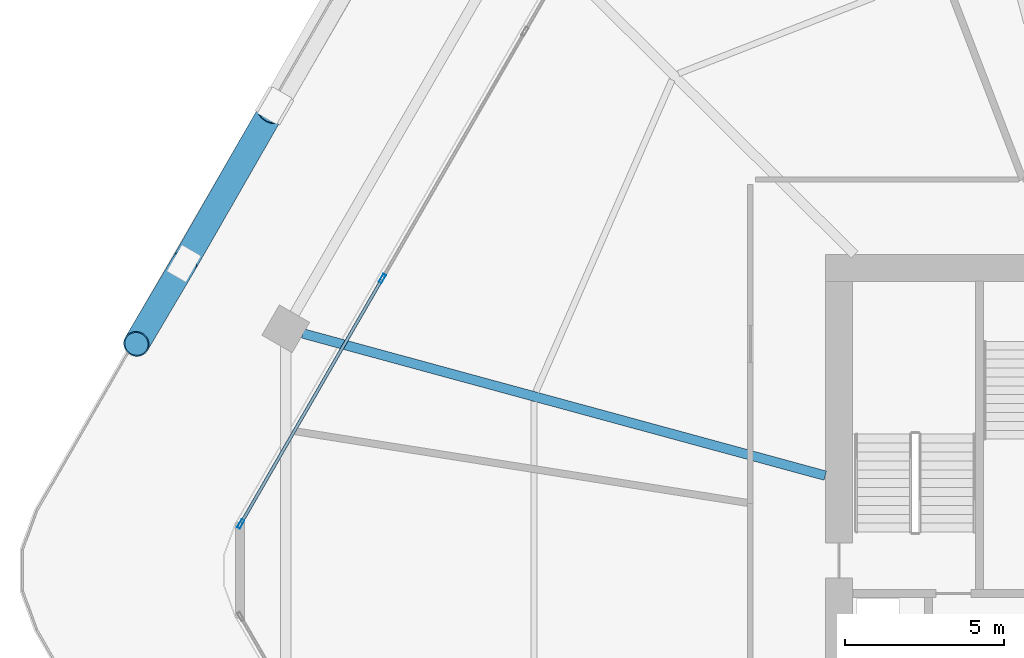
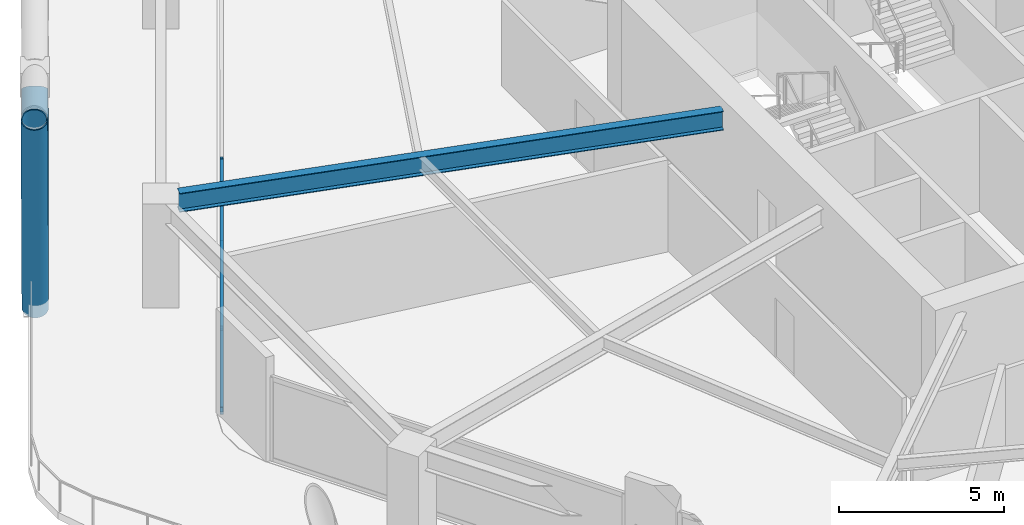
# One storey, part 12 of 28: 6 members, 1 beam, 1 element without a shape of its own.
"""IFC4 building model written with IfcOpenShell, lengths in metres."""

from ifc_helpers import new_model, si_unit, direction, frame, origin, origin_2d, place, context, subcontext, project, spatial, hollow_rectangle, hollow_circle, i_section, extrude, material, material_profile, profile_set, type_object, element, aggregate, save


model = new_model("IFC4")

# Units and contexts
model_context = context("Model", 3, precision=1e-05, world=origin(), true_north=direction((0.0, 1.0)))
body_context = subcontext(model_context, "Body", "Model", "MODEL_VIEW")
ifc_project = project(units=[si_unit("LENGTHUNIT", "METRE"), si_unit("AREAUNIT", "SQUARE_METRE"), si_unit("VOLUMEUNIT", "CUBIC_METRE"), si_unit("PLANEANGLEUNIT", "RADIAN"), si_unit("MASSUNIT", "GRAM", prefix="KILO")], contexts=[model_context])

# Site, building, storey
site_placement = place(None, origin())
site = spatial("IfcSite", under=ifc_project, at=site_placement, CompositionType="ELEMENT")
building_placement = place(site_placement, origin())
building = spatial("IfcBuilding", under=site, at=building_placement, Name="Zuhravey Tower", CompositionType="ELEMENT")
storey_placement = place(building_placement, frame((0.0, 0.0, 83.39990234375)))
storey = spatial("IfcBuildingStorey", under=building, at=storey_placement, Name="L20", CompositionType="ELEMENT", Elevation=83.39990234375)

# Members
ifc_material_1 = material(Name="Steel SM460", Category="steel")
ifc_material_profile_1 = material_profile(ifc_material_1, hollow_circle(Radius=0.406494140625, WallThickness=0.035888671875, at=origin_2d()), Name="CHS-812.8x36")
ifc_profile_set_1 = profile_set([ifc_material_profile_1], Name="Steel SM460")
member_type_1 = type_object("IfcMemberType", Name="Exoskeleton Zone 1 Diagrid CHS813x36", PredefinedType="BRACE", material=ifc_profile_set_1)
member_1_placement = place(storey_placement, frame((4.904541015625, 41.637939453125, -0.471923828125), z_axis=(-0.157674993935, -0.266761084923, 0.950777113659), x_axis=(0.860865118485, -0.508833221965, 0.0)))
element("IfcMember", 1, at=member_1_placement, inside=storey, type_object=member_type_1, Name="L20 Face 3 Diagrid Brace 4", PredefinedType="BRACE", context=body_context, shape_type="SweptSolid", body=[
    extrude(hollow_circle(Radius=0.406494140625, WallThickness=0.035888671875, at=origin_2d()), origin(), (0.0, 0.0, 1.0), 9.451416015625),
])
member_2_placement = place(storey_placement, frame((4.9267578125, 41.676513671875, -0.46435546875), z_axis=(0.39073792512, 0.680929048696, 0.619402538351), x_axis=(-0.867344262891, 0.497708679481, 0.0)))
element("IfcMember", 2, at=member_2_placement, inside=storey, type_object=member_type_1, Name="L20 Face 3 Split Diagrid Brace 3A", PredefinedType="BRACE", context=body_context, shape_type="SweptSolid", body=[
    extrude(hollow_circle(Radius=0.406494140625, WallThickness=0.035888671875, at=origin_2d()), origin(), (0.0, 0.0, 1.0), 6.844970703125),
])

# Curtain wall, members
ifc_material_2 = material(Name="Thermally broken anodised aluminium", Category="aluminium")
curtain_wall_type = type_object("IfcCurtainWallType", Name="Sky-Playground Recessed Curtain Wall CW2", PredefinedType="NOTDEFINED", material=ifc_material_2)
curtain_wall_placement = place(storey_placement, origin())
curtain_wall = element("IfcCurtainWall", 3, at=curtain_wall_placement, inside=storey, type_object=curtain_wall_type, Name="L20 CW2 CW-L20-F3-1", PredefinedType="NOTDEFINED")
ifc_material_3 = material(Name="Anodised aluminium", Category="aluminium")
ifc_material_profile_2 = material_profile(ifc_material_3, hollow_rectangle(XDim=0.10009765625, YDim=0.2900390625, WallThickness=0.006103515625, at=origin_2d()), Name="ALU-RHS-100x290x6")
ifc_profile_set_2 = profile_set([ifc_material_profile_2], Name="Anodised aluminium")
member_type_2 = type_object("IfcMemberType", Name="Heavy Tall-Storey Mullion 100x220", PredefinedType="MULLION", material=ifc_profile_set_2)
member_3_placement = place(storey_placement, frame((6.693115234375, 33.455810546875, 0.0), z_axis=(0.0, 0.0, 1.0), x_axis=(-0.866025967368, 0.499999023843, 0.0)))
member_3 = element("IfcMember", 4, at=member_3_placement, type_object=member_type_2, Name="CW2 mullion 1", PredefinedType="MULLION", context=body_context, shape_type="SweptSolid", body=[
    extrude(hollow_rectangle(XDim=0.10009765625, YDim=0.2900390625, WallThickness=0.006103515625, at=origin_2d()), origin(), (0.0, 0.0, 1.0), 3.10009765625),
])
member_4_placement = place(storey_placement, frame((11.14892578125, 41.173583984375, 0.0), z_axis=(0.0, 0.0, 1.0), x_axis=(-0.866025967368, 0.499999023843, 0.0)))
member_4 = element("IfcMember", 5, at=member_4_placement, type_object=member_type_2, Name="CW2 mullion 2", PredefinedType="MULLION", context=body_context, shape_type="SweptSolid", body=[
    extrude(hollow_rectangle(XDim=0.10009765625, YDim=0.2900390625, WallThickness=0.006103515625, at=origin_2d()), origin(), (0.0, 0.0, 1.0), 3.10009765625),
])

# Beam
ifc_material_4 = material(Name="Steel SM355", Category="steel")
ifc_material_profile_3 = material_profile(ifc_material_4, i_section(OverallWidth=0.300048828125, OverallDepth=0.699951171875, WebThickness=0.012939453125, FlangeThickness=0.02392578125, at=origin_2d()), Name="H-700x300x13x24")
ifc_profile_set_3 = profile_set([ifc_material_profile_3], Name="Steel SM355")
beam_type = type_object("IfcBeamType", Name="Radial Primary Girder H700x300", PredefinedType="BEAM", material=ifc_profile_set_3)
beam_placement = place(storey_placement, frame((25.072021484375, 34.974609375, 3.5), z_axis=(-0.964891112932, 0.262650224032, 0.0), x_axis=(-0.262650224032, -0.964891112932, 0.0)))
element("IfcBeam", 6, at=beam_placement, inside=storey, type_object=beam_type, Name="L20 RG1 BM-L20-RAD-06", PredefinedType="BEAM", context=body_context, shape_type="SweptSolid", body=[
    extrude(i_section(OverallWidth=0.300048828125, OverallDepth=0.699951171875, WebThickness=0.012939453125, FlangeThickness=0.02392578125, at=origin_2d()), origin(), (0.0, 0.0, 1.0), 17.025146484375),
])

# Member
ifc_material_profile_4 = material_profile(ifc_material_3, hollow_rectangle(XDim=0.10009765625, YDim=0.179931640625, WallThickness=0.006103515625, at=origin_2d()), Name="ALU-RHS-100x180x6")
ifc_profile_set_4 = profile_set([ifc_material_profile_4], Name="Anodised aluminium")
member_type_3 = type_object("IfcMemberType", Name="Tall-Storey Transom 100x180", PredefinedType="USERDEFINED", material=ifc_profile_set_4)
member_5_placement = place(storey_placement, frame((6.718017578125, 33.4990234375, 0.050048828125), z_axis=(0.50000385009, 0.866023180923, 0.0), x_axis=(-0.866023180923, 0.50000385009, 0.0)))
member_5 = element("IfcMember", 7, at=member_5_placement, type_object=member_type_3, Name="CW2 transom 1.1", ObjectType="TRANSOM", PredefinedType="USERDEFINED", context=body_context, shape_type="SweptSolid", body=[
    extrude(hollow_rectangle(XDim=0.10009765625, YDim=0.179931640625, WallThickness=0.006103515625, at=origin_2d()), origin(), (0.0, 0.0, 1.0), 8.81201171875),
])

member_6_placement = place(storey_placement, frame((6.718017578125, 33.4990234375, 3.050048828125), z_axis=(0.50000385009, 0.866023180923, 0.0), x_axis=(-0.866023180923, 0.50000385009, 0.0)))
member_6 = element("IfcMember", 8, at=member_6_placement, type_object=member_type_3, Name="CW2 transom 1.2", ObjectType="TRANSOM", PredefinedType="USERDEFINED", context=body_context, shape_type="SweptSolid", body=[
    extrude(hollow_rectangle(XDim=0.10009765625, YDim=0.179931640625, WallThickness=0.006103515625, at=origin_2d()), origin(), (0.0, 0.0, 1.0), 8.81201171875),
])

aggregate(curtain_wall, [member_3, member_4, member_5, member_6])

save(model, "model.ifc")
